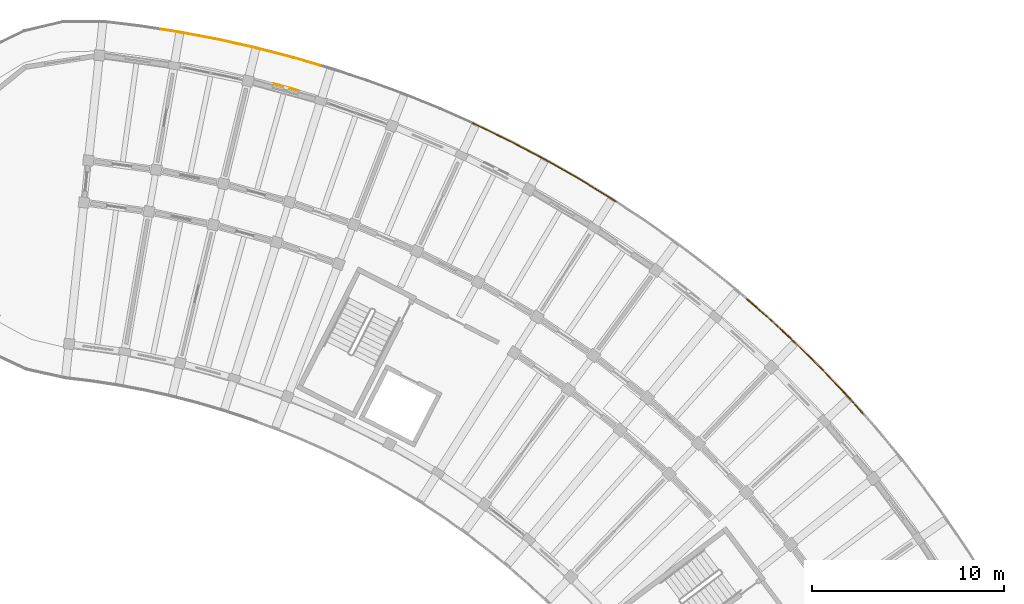
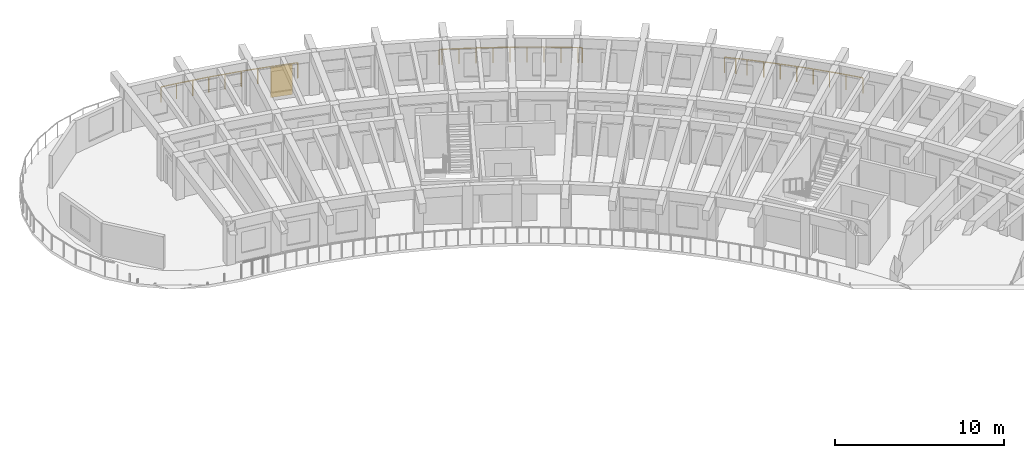
# One storey, part 96 of 96: 3 railings, 1 shading device.
"""IFC4 building model written with IfcOpenShell, lengths in metres."""

from ifc_helpers import new_model, si_unit, direction, frame, origin, origin_2d, place, context, subcontext, project, spatial, rectangle, circle, extrude, material, layer, layer_set, type_object, element, save


model = new_model("IFC4")

# Units and contexts
model_context = context("Model", 3, precision=1e-05, world=origin(), true_north=direction((0.0, 1.0)))
body_context = subcontext(model_context, "Body", "Model", "MODEL_VIEW")
ifc_project = project(units=[si_unit("LENGTHUNIT", "METRE"), si_unit("AREAUNIT", "SQUARE_METRE"), si_unit("VOLUMEUNIT", "CUBIC_METRE"), si_unit("PLANEANGLEUNIT", "RADIAN"), si_unit("MASSUNIT", "GRAM", prefix="KILO")], contexts=[model_context])

# Site, building, storey
site_placement = place(None, origin())
site = spatial("IfcSite", under=ifc_project, at=site_placement, CompositionType="ELEMENT")
building_placement = place(site_placement, origin())
building = spatial("IfcBuilding", under=site, at=building_placement, Name="Tanwirah Colonnade Gardens", CompositionType="ELEMENT")
storey_placement = place(building_placement, frame((0.0, 0.0, 12.199951171875)))
storey = spatial("IfcBuildingStorey", under=building, at=storey_placement, Name="L03", CompositionType="ELEMENT", Elevation=12.199951171875)

# Railings
ifc_material_1 = material(Name="Precast concrete C40/50", Category="concrete")
railing_type = type_object("IfcRailingType", Name="BAL-EXT112", PredefinedType="BALUSTRADE", material=ifc_material_1)
railing_1_placement = place(storey_placement, frame((130.427734375, 120.782470703125, 0.0)))
element("IfcRailing", 1, at=railing_1_placement, inside=storey, type_object=railing_type, Name="Block B L03 Balcony Ribbon Balustrade 11", PredefinedType="BALUSTRADE", context=body_context, shape_type="SweptSolid", body=[
    extrude(circle(Radius=0.02392578125, at=origin_2d()), frame((0.031005859375, -0.0048828125, 1.09619140625), z_axis=(0.988127200794, -0.153638000024, 0.0), x_axis=(0.153638000024, 0.988127200794, 0.0)), (0.0, 0.0, 1.0), 0.935302734375),
    extrude(circle(Radius=0.02392578125, at=origin_2d()), frame((1.016845703125, -0.1591796875, 1.09619140625), z_axis=(0.982549371225, -0.186001970705, 0.0), x_axis=(0.186001970705, 0.982549371225, 0.0)), (0.0, 0.0, 1.0), 1.958740234375),
    extrude(circle(Radius=0.02392578125, at=origin_2d()), frame((3.002685546875, -0.5361328125, 1.09619140625), z_axis=(0.975867729966, -0.218362482151, 0.0), x_axis=(0.218362482151, 0.975867729966, 0.0)), (0.0, 0.0, 1.0), 1.958984375),
    extrude(circle(Radius=0.02392578125, at=origin_2d()), frame((4.97509765625, -0.978515625, 1.09619140625), z_axis=(0.968157509899, -0.250341838346, 0.0), x_axis=(0.250341838346, 0.968157509899, 0.0)), (0.0, 0.0, 1.0), 1.959228515625),
    extrude(circle(Radius=0.02392578125, at=origin_2d()), frame((6.93212890625, -1.485595703125, 1.09619140625), z_axis=(0.959341160032, -0.282249072043, 0.0), x_axis=(0.282249072043, 0.959341160032, 0.0)), (0.0, 0.0, 1.0), 1.375),
    extrude(circle(Radius=0.02099609375, at=origin_2d()), origin(), (0.0, 0.0, 1.0), 1.069091796875),
    extrude(circle(Radius=0.02099609375, at=origin_2d()), frame((0.986083984375, -0.1533203125, 0.0)), (0.0, 0.0, 1.0), 1.069091796875),
    extrude(circle(Radius=0.02099609375, at=origin_2d()), frame((1.97900390625, -0.34130859375, 0.0)), (0.0, 0.0, 1.0), 1.069091796875),
    extrude(circle(Radius=0.02099609375, at=origin_2d()), frame((2.97216796875, -0.529296875, 0.0)), (0.0, 0.0, 1.0), 1.069091796875),
    extrude(circle(Radius=0.02099609375, at=origin_2d()), frame((3.95849609375, -0.75, 0.0)), (0.0, 0.0, 1.0), 1.069091796875),
    extrude(circle(Radius=0.02099609375, at=origin_2d()), frame((4.94482421875, -0.970703125, 0.0)), (0.0, 0.0, 1.0), 1.069091796875),
    extrude(circle(Radius=0.02099609375, at=origin_2d()), frame((5.92333984375, -1.2236328125, 0.0)), (0.0, 0.0, 1.0), 1.069091796875),
    extrude(circle(Radius=0.02099609375, at=origin_2d()), frame((6.902099609375, -1.476806640625, 0.0)), (0.0, 0.0, 1.0), 1.069091796875),
    extrude(circle(Radius=0.02099609375, at=origin_2d()), frame((7.591796875, -1.6796875, 0.0)), (0.0, 0.0, 1.0), 1.069091796875),
    extrude(circle(Radius=0.02099609375, at=origin_2d()), frame((8.28125, -1.882568359375, 0.0)), (0.0, 0.0, 1.0), 1.069091796875),
])
railing_2_placement = place(storey_placement, frame((146.652099609375, 115.893798828125, 0.0)))
element("IfcRailing", 2, at=railing_2_placement, inside=storey, type_object=railing_type, Name="Block B L03 Balcony Ribbon Balustrade 13", PredefinedType="BALUSTRADE", context=body_context, shape_type="SweptSolid", body=[
    extrude(circle(Radius=0.02392578125, at=origin_2d()), frame((0.028564453125, -0.0126953125, 1.09619140625), z_axis=(0.913930211461, -0.405871369499, 0.0), x_axis=(0.405871369499, 0.913930211461, 0.0)), (0.0, 0.0, 1.0), 0.107177734375),
    extrude(circle(Radius=0.02392578125, at=origin_2d()), frame((0.18310546875, -0.08251953125, 1.09619140625), z_axis=(0.900055350621, -0.435775591122, 0.0), x_axis=(0.435775591122, 0.900055350621, 0.0)), (0.0, 0.0, 1.0), 1.958740234375),
    extrude(circle(Radius=0.02392578125, at=origin_2d()), frame((2.001953125, -0.96435546875, 1.09619140625), z_axis=(0.885211446817, -0.465188880374, 0.0), x_axis=(0.465188880374, 0.885211446817, 0.0)), (0.0, 0.0, 1.0), 1.958984375),
    extrude(circle(Radius=0.02392578125, at=origin_2d()), frame((3.791015625, -1.905517578125, 1.09619140625), z_axis=(0.869392881113, -0.494121461049, 0.0), x_axis=(0.494121461049, 0.869392881113, 0.0)), (0.0, 0.0, 1.0), 1.958740234375),
    extrude(circle(Radius=0.02392578125, at=origin_2d()), frame((5.5478515625, -2.9052734375, 1.09619140625), z_axis=(0.852660263329, -0.522465764754, 0.0), x_axis=(0.522465764754, 0.852660263329, 0.0)), (0.0, 0.0, 1.0), 1.958984375),
    extrude(circle(Radius=0.02392578125, at=origin_2d()), frame((7.27099609375, -3.962158203125, 1.09619140625), z_axis=(0.834958204617, -0.550313362134, 0.0), x_axis=(0.550313362134, 0.834958204617, 0.0)), (0.0, 0.0, 1.0), 0.181884765625),
    extrude(circle(Radius=0.02099609375, at=origin_2d()), origin(), (0.0, 0.0, 1.0), 1.069091796875),
    extrude(circle(Radius=0.02099609375, at=origin_2d()), frame((0.155029296875, -0.06884765625, 0.0)), (0.0, 0.0, 1.0), 1.069091796875),
    extrude(circle(Radius=0.02099609375, at=origin_2d()), frame((1.064697265625, -0.50927734375, 0.0)), (0.0, 0.0, 1.0), 1.069091796875),
    extrude(circle(Radius=0.02099609375, at=origin_2d()), frame((1.974365234375, -0.94970703125, 0.0)), (0.0, 0.0, 1.0), 1.069091796875),
    extrude(circle(Radius=0.02099609375, at=origin_2d()), frame((2.869140625, -1.419921875, 0.0)), (0.0, 0.0, 1.0), 1.069091796875),
    extrude(circle(Radius=0.02099609375, at=origin_2d()), frame((3.763916015625, -1.89013671875, 0.0)), (0.0, 0.0, 1.0), 1.069091796875),
    extrude(circle(Radius=0.02099609375, at=origin_2d()), frame((4.642578125, -2.3896484375, 0.0)), (0.0, 0.0, 1.0), 1.069091796875),
    extrude(circle(Radius=0.02099609375, at=origin_2d()), frame((5.521240234375, -2.888916015625, 0.0)), (0.0, 0.0, 1.0), 1.069091796875),
    extrude(circle(Radius=0.02099609375, at=origin_2d()), frame((6.383056640625, -3.4169921875, 0.0)), (0.0, 0.0, 1.0), 1.069091796875),
    extrude(circle(Radius=0.02099609375, at=origin_2d()), frame((7.244873046875, -3.945068359375, 0.0)), (0.0, 0.0, 1.0), 1.069091796875),
    extrude(circle(Radius=0.02099609375, at=origin_2d()), frame((7.448974609375, -4.07958984375, 0.0)), (0.0, 0.0, 1.0), 1.069091796875),
])
railing_3_placement = place(storey_placement, frame((160.913330078125, 106.7421875, 0.0)))
element("IfcRailing", 3, at=railing_3_placement, inside=storey, type_object=railing_type, Name="Block B L03 Balcony Ribbon Balustrade 15", PredefinedType="BALUSTRADE", context=body_context, shape_type="SweptSolid", body=[
    extrude(circle(Radius=0.02392578125, at=origin_2d()), frame((0.023681640625, -0.0205078125, 1.09619140625), z_axis=(0.755322467302, -0.655353317218, 0.0), x_axis=(0.655353317218, 0.755322467302, 0.0)), (0.0, 0.0, 1.0), 1.30029296875),
    extrude(circle(Radius=0.02392578125, at=origin_2d()), frame((1.05224609375, -0.914306640625, 1.09619140625), z_axis=(0.733352454033, -0.679848643569, 0.0), x_axis=(0.679848643569, 0.733352454033, 0.0)), (0.0, 0.0, 1.0), 1.958984375),
    extrude(circle(Radius=0.02392578125, at=origin_2d()), frame((2.533935546875, -2.289306640625, 1.09619140625), z_axis=(0.710480209462, -0.703717181801, 0.0), x_axis=(0.703717181801, 0.710480209462, 0.0)), (0.0, 0.0, 1.0), 1.958984375),
    extrude(circle(Radius=0.02392578125, at=origin_2d()), frame((3.969482421875, -3.712646484375, 1.09619140625), z_axis=(0.686960364449, -0.726694886232, 0.0), x_axis=(0.726694886232, 0.686960364449, 0.0)), (0.0, 0.0, 1.0), 1.958984375),
    extrude(circle(Radius=0.02392578125, at=origin_2d()), frame((5.357421875, -5.182373046875, 1.09619140625), z_axis=(0.662667168974, -0.748914029221, 0.0), x_axis=(0.748914029221, 0.662667168974, 0.0)), (0.0, 0.0, 1.0), 1.01025390625),
    extrude(circle(Radius=0.02099609375, at=origin_2d()), origin(), (0.0, 0.0, 1.0), 1.069091796875),
    extrude(circle(Radius=0.02099609375, at=origin_2d()), frame((0.5146484375, -0.446533203125, 0.0)), (0.0, 0.0, 1.0), 1.069091796875),
    extrude(circle(Radius=0.02099609375, at=origin_2d()), frame((1.029296875, -0.89306640625, 0.0)), (0.0, 0.0, 1.0), 1.069091796875),
    extrude(circle(Radius=0.02099609375, at=origin_2d()), frame((1.7705078125, -1.580078125, 0.0)), (0.0, 0.0, 1.0), 1.069091796875),
    extrude(circle(Radius=0.02099609375, at=origin_2d()), frame((2.51171875, -2.267333984375, 0.0)), (0.0, 0.0, 1.0), 1.069091796875),
    extrude(circle(Radius=0.02099609375, at=origin_2d()), frame((3.22998046875, -2.978515625, 0.0)), (0.0, 0.0, 1.0), 1.069091796875),
    extrude(circle(Radius=0.02099609375, at=origin_2d()), frame((3.947998046875, -3.68994140625, 0.0)), (0.0, 0.0, 1.0), 1.069091796875),
    extrude(circle(Radius=0.02099609375, at=origin_2d()), frame((4.642333984375, -4.42431640625, 0.0)), (0.0, 0.0, 1.0), 1.069091796875),
    extrude(circle(Radius=0.02099609375, at=origin_2d()), frame((5.336669921875, -5.158935546875, 0.0)), (0.0, 0.0, 1.0), 1.069091796875),
    extrude(circle(Radius=0.02099609375, at=origin_2d()), frame((6.047607421875, -5.96240234375, 0.0)), (0.0, 0.0, 1.0), 1.069091796875),
])

# Shading device
ifc_material_2 = material(Name="Perforated architectural bronze aluminium", Category="aluminium")
ifc_layer = layer(ifc_material_2, 0.044921875)
ifc_layer_set = layer_set([ifc_layer], Name="Perforated architectural bronze aluminium")
shading_device_type = type_object("IfcShadingDeviceType", Name="SHD-MSH1", PredefinedType="JALOUSIE", material=ifc_layer_set)
shading_device_placement = place(storey_placement, frame((136.947998046875, 117.764404296875, 0.0), z_axis=(0.0, 0.0, 1.0), x_axis=(-0.963888748144, 0.266305240659, 0.0)))
element("IfcShadingDevice", 4, at=shading_device_placement, inside=storey, type_object=shading_device_type, Name="Bronze mashrabiya solar screen B-L03-15", PredefinedType="JALOUSIE", context=body_context, shape_type="SweptSolid", body=[
    extrude(rectangle(XDim=1.35009765625, YDim=0.044921875, at=origin_2d()), origin(), (0.0, 0.0, 1.0), 2.2099609375),
])

save(model, "model.ifc")
